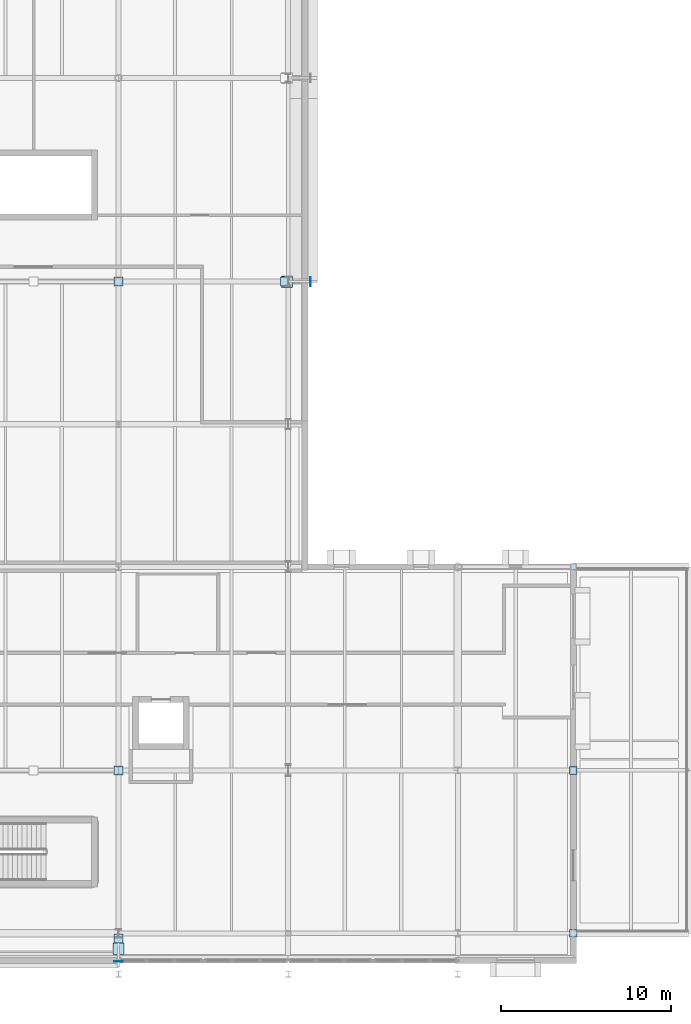
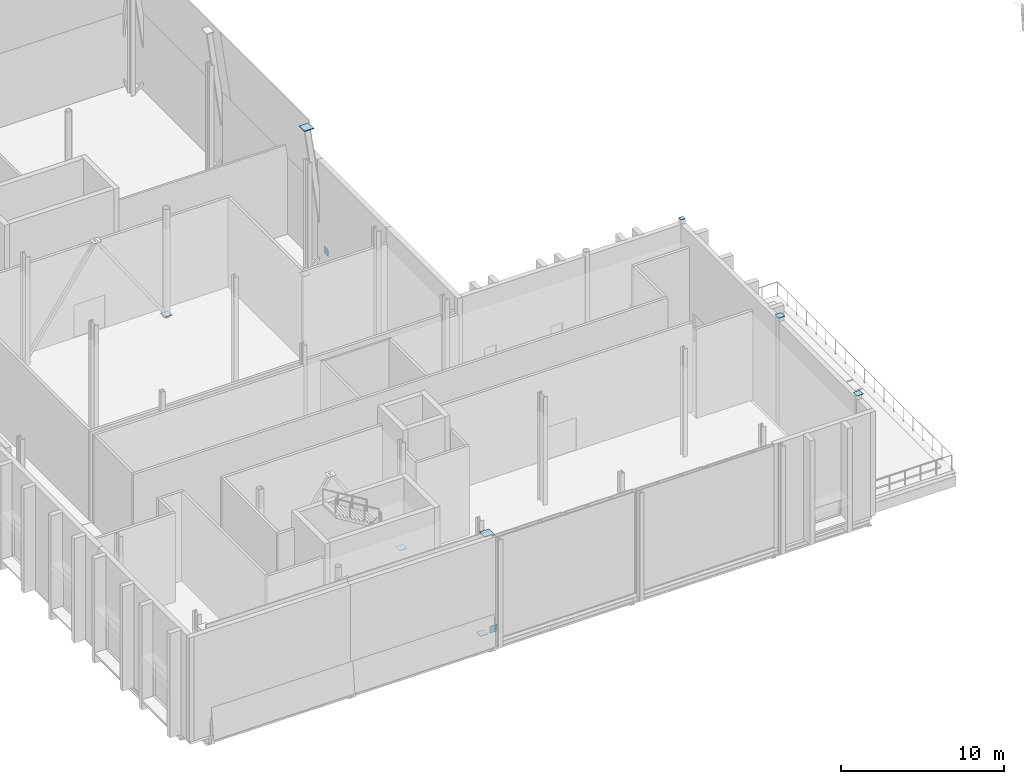
# One storey, part 53 of 79: 11 plates.
"""IFC4 building model written with IfcOpenShell, lengths in metres."""

from ifc_helpers import new_model, si_unit, direction, frame, origin, origin_2d, place, context, subcontext, project, spatial, rectangle, extrude, material, layer, layer_set, type_object, element, save


model = new_model("IFC4")

# Units and contexts
model_context = context("Model", 3, precision=1e-05, world=origin(), true_north=direction((0.0, 1.0)))
body_context = subcontext(model_context, "Body", "Model", "MODEL_VIEW")
ifc_project = project(units=[si_unit("LENGTHUNIT", "METRE"), si_unit("AREAUNIT", "SQUARE_METRE"), si_unit("VOLUMEUNIT", "CUBIC_METRE"), si_unit("PLANEANGLEUNIT", "RADIAN"), si_unit("MASSUNIT", "GRAM", prefix="KILO")], contexts=[model_context])

# Site, building, storey
site_placement = place(None, origin())
site = spatial("IfcSite", under=ifc_project, at=site_placement, CompositionType="ELEMENT")
building_placement = place(site_placement, origin())
building = spatial("IfcBuilding", under=site, at=building_placement, Name="Zereglee Splitstone Museum", CompositionType="ELEMENT")
storey_placement = place(building_placement, frame((0.0, 0.0, 9.0)))
storey = spatial("IfcBuildingStorey", under=building, at=storey_placement, Name="L02", CompositionType="ELEMENT", Elevation=9.0)

# Plates
ifc_material = material(Name="Steel S355J2", Category="steel")
ifc_layer_1 = layer(ifc_material, 0.02001953125)
ifc_layer_set_1 = layer_set([ifc_layer_1], Name="Steel S355J2")
plate_type_1 = type_object("IfcPlateType", Name="EC-01", PredefinedType="SHEET", material=ifc_layer_set_1)
for number, where, z_axis, x_axis, name in (
    (1, (222.0, 0.0, 8.10009765625), (0.0, 0.0, 1.0), (1.0, 0.0, 0.0), "Hollow Column End-Cap Plate EC-01 (222.0,0.0)"),
    (2, (222.0, 9.60009765625, 8.10009765625), (0.0, 0.0, 1.0), (1.0, 0.0, 0.0), "Hollow Column End-Cap Plate EC-01 (222.0,9.6)"),
):
    element("IfcPlate", number, at=place(storey_placement, frame(where, z_axis=z_axis, x_axis=x_axis)), inside=storey, type_object=plate_type_1, Name=name, PredefinedType="SHEET", context=body_context, shape_type="SweptSolid", body=[
        extrude(rectangle(XDim=0.4599609375, YDim=0.4599609375, at=origin_2d()), origin(), (0.0, 0.0, 1.0), 0.02001953125),
    ])
ifc_layer_2 = layer(ifc_material, 0.01611328125)
ifc_layer_set_2 = layer_set([ifc_layer_2], Name="Steel S355J2")
plate_type_2 = type_object("IfcPlateType", Name="EC-02", PredefinedType="SHEET", material=ifc_layer_set_2)
plate_1_placement = place(storey_placement, frame((222.0, 21.60009765625, 8.099853515625), z_axis=(0.0, 0.0, 1.0), x_axis=(1.0, 0.0, 0.0)))
element("IfcPlate", 3, at=plate_1_placement, inside=storey, type_object=plate_type_2, Name="Hollow Column End-Cap Plate EC-02 (222.0,21.6)", PredefinedType="SHEET", context=body_context, shape_type="SweptSolid", body=[
    extrude(rectangle(XDim=0.300048828125, YDim=0.300048828125, at=origin_2d()), origin(), (0.0, 0.0, 1.0), 0.01611328125),
])
ifc_layer_3 = layer(ifc_material, 0.030029296875)
ifc_layer_set_3 = layer_set([ifc_layer_3], Name="Steel S355J2")
plate_type_3 = type_object("IfcPlateType", Name="NP-04", PredefinedType="SHEET", material=ifc_layer_set_3)
for number, where, z_axis, x_axis, name in (
    (4, (195.199951171875, 9.60009765625, 0.10498046875), (0.0, 0.0, 1.0), (1.0, 0.0, 0.0), "CBF Brace Gusset Cap L02-017"),
    (5, (195.199951171875, 38.39990234375, 0.10498046875), (0.0, 0.0, 1.0), (1.0, 0.0, 0.0), "CBF Brace Gusset Cap L02-021"),
    (6, (195.199951171875, -0.300048828125, -0.294921875), (0.0, 0.0, 1.0), (1.0, 0.0, 0.0), "Facet Tie Seal Plate FH-V3S"),
):
    element("IfcPlate", number, at=place(storey_placement, frame(where, z_axis=z_axis, x_axis=x_axis)), inside=storey, type_object=plate_type_3, Name=name, PredefinedType="SHEET", context=body_context, shape_type="SweptSolid", body=[
        extrude(rectangle(XDim=0.52001953125, YDim=0.52001953125, at=origin_2d()), origin(), (0.0, 0.0, 1.0), 0.030029296875),
    ])
plate_2_placement = place(storey_placement, frame((195.199951171875, -1.66064453125, 0.619873046875), z_axis=(0.0, 0.0, 1.0), x_axis=(1.0, 0.0, 0.0)))
element("IfcPlate", 7, at=plate_2_placement, inside=storey, type_object=plate_type_3, Name="Facet Tie Seal Plate FH-V3S", PredefinedType="SHEET", context=body_context, shape_type="SweptSolid", body=[
    extrude(rectangle(XDim=0.52001953125, YDim=0.030029296875, at=origin_2d()), origin(), (0.0, 0.0, 1.0), 0.52001953125),
])
plate_3_placement = place(storey_placement, frame((205.0, 38.39990234375, -0.294921875), z_axis=(0.0, 0.0, 1.0), x_axis=(1.0, 0.0, 0.0)))
element("IfcPlate", 8, at=plate_3_placement, inside=storey, type_object=plate_type_3, Name="Facet Tie Seal Plate FH-V4E", PredefinedType="SHEET", context=body_context, shape_type="SweptSolid", body=[
    extrude(rectangle(XDim=0.52001953125, YDim=0.52001953125, at=origin_2d()), origin(), (0.0, 0.0, 1.0), 0.030029296875),
])
plate_4_placement = place(storey_placement, frame((206.5078125, 38.39990234375, 0.619873046875), z_axis=(0.0, 0.0, 1.0), x_axis=(1.0, 0.0, 0.0)))
element("IfcPlate", 9, at=plate_4_placement, inside=storey, type_object=plate_type_3, Name="Facet Tie Seal Plate FH-V4E", PredefinedType="SHEET", context=body_context, shape_type="SweptSolid", body=[
    extrude(rectangle(XDim=0.030029296875, YDim=0.52001953125, at=origin_2d()), origin(), (0.0, 0.0, 1.0), 0.52001953125),
])
ifc_layer_4 = layer(ifc_material, 0.050048828125)
ifc_layer_set_4 = layer_set([ifc_layer_4], Name="Steel S355J2")
plate_type_4 = type_object("IfcPlateType", Name="NP-02", PredefinedType="SHEET", material=ifc_layer_set_4)
for number, where, z_axis, x_axis, name in (
    (10, (195.199951171875, -0.906982421875, 7.544921875), (0.0, 0.0, 1.0), (1.0, 0.0, 0.0), "Facet Strut Seal Plate FH-V3S"),
    (11, (205.123779296875, 38.39990234375, 10.60498046875), (0.0, 0.0, 1.0), (1.0, 0.0, 0.0), "Facet Strut Seal Plate FH-V4E"),
):
    element("IfcPlate", number, at=place(storey_placement, frame(where, z_axis=z_axis, x_axis=x_axis)), inside=storey, type_object=plate_type_4, Name=name, PredefinedType="SHEET", context=body_context, shape_type="SweptSolid", body=[
        extrude(rectangle(XDim=0.659912109375, YDim=0.659912109375, at=origin_2d()), origin(), (0.0, 0.0, 1.0), 0.050048828125),
    ])

save(model, "model.ifc")
